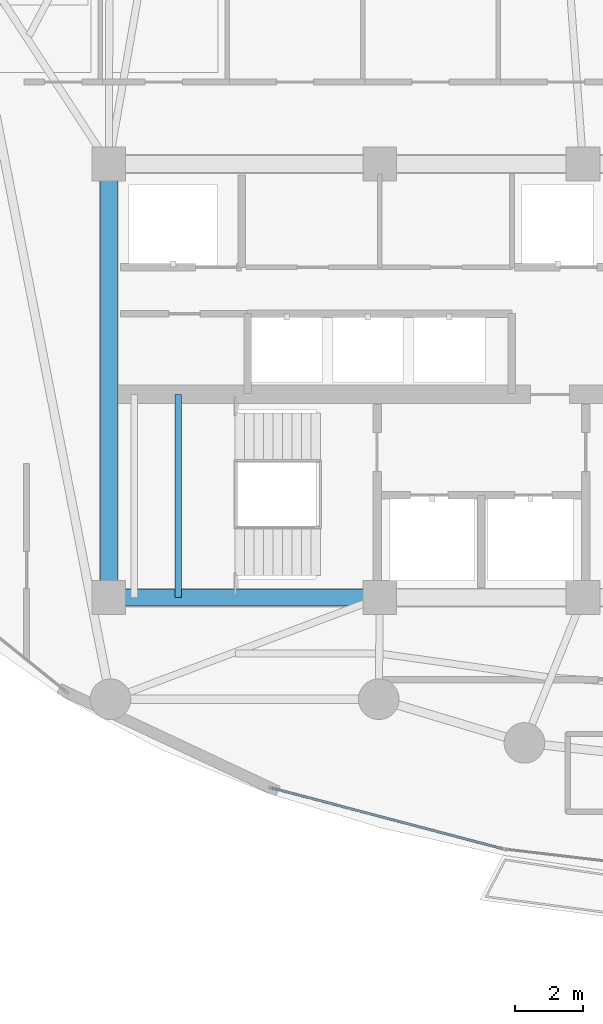
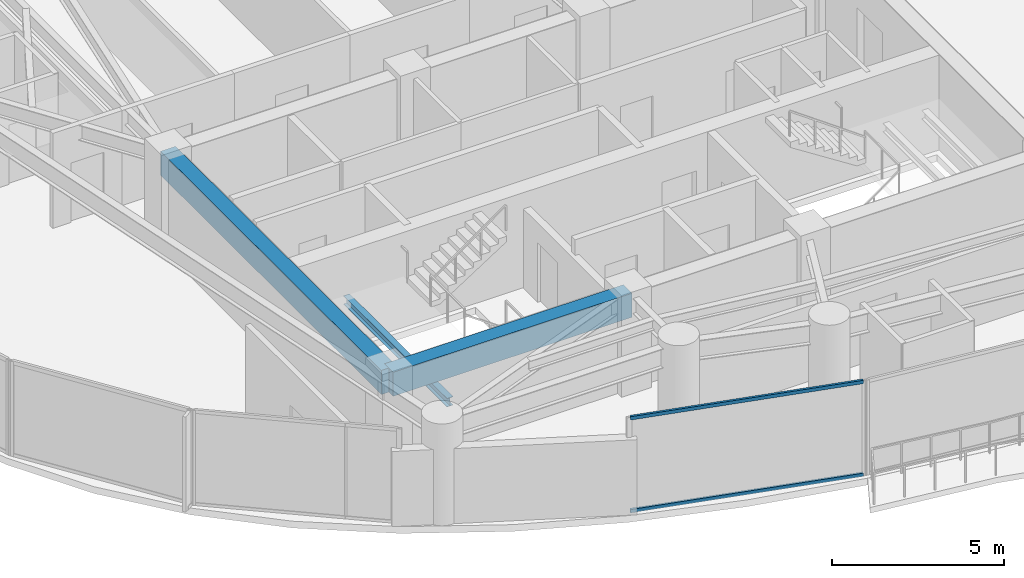
# One storey, part 4 of 34: 3 beams, 2 members, 1 element without a shape of its own.
"""IFC4 building model written with IfcOpenShell, lengths in metres."""

import ifcopenshell
import ifcopenshell.guid

model = None  # the IFC model being written
_history = None  # IfcOwnerHistory: only IFC2X3 demands one
_inside = {}  # id of a spatial element -> (the spatial element, [elements in it])
_under = {}  # id of a project, library or spatial element -> (it, [spatial elements below it])
_declared = {}  # id of a project -> (the project, [libraries it declares])
_typed = {}  # id of a type object -> (the type object, [elements of that type])
_made_of = {}  # id of a material, layer set ... -> (it, [elements and type objects made of it])


def new_model(schema):
    """Start an empty IFC model of exactly this schema.

    Asked for "IFC4X3", IfcOpenShell would pick the latest addendum, in which some entities
    have other attributes; the version numbers below select the first issue.
    IFC2X3 requires an IfcOwnerHistory on every rooted entity: one is made here for all.
    """
    global model, _history
    if schema == "IFC4X3":
        model = ifcopenshell.file(schema_version=(4, 3, 0, 0))
    else:
        model = ifcopenshell.file(schema=schema)
    _inside.clear()
    _under.clear()
    _declared.clear()
    _typed.clear()
    _made_of.clear()
    _history = None
    if model.schema == "IFC2X3":
        org = make("IfcOrganization", Name="unknown")
        user = make(
            "IfcPersonAndOrganization",
            ThePerson=make("IfcPerson", FamilyName="unknown"),
            TheOrganization=org,
        )
        app = make(
            "IfcApplication",
            ApplicationDeveloper=org,
            Version="unknown",
            ApplicationFullName="unknown",
            ApplicationIdentifier="unknown",
        )
        _history = make(
            "IfcOwnerHistory",
            OwningUser=user,
            OwningApplication=app,
            ChangeAction="ADDED",
            CreationDate=0,
        )
    return model


def make(cls, **values):
    """One entity of the class cls with the attributes given. An attribute that is None is left unset."""
    return model.create_entity(
        cls, **{name: value for name, value in values.items() if value is not None}
    )


def rooted(cls, **values):
    """An entity with a GlobalId (a new one), such as an element, a storey or a relation."""
    return make(cls, GlobalId=ifcopenshell.guid.new(), OwnerHistory=_history, **values)


def si_unit(unit_type, name, prefix=None):
    """IfcSIUnit, for example si_unit("LENGTHUNIT", "METRE", prefix="MILLI")."""
    return make("IfcSIUnit", UnitType=unit_type, Prefix=prefix, Name=name)


def assignment(units):
    """IfcUnitAssignment: the units of a project."""
    return None if units is None else make("IfcUnitAssignment", Units=units)


def point(xyz):
    """IfcCartesianPoint."""
    return None if xyz is None else make("IfcCartesianPoint", Coordinates=xyz)


def direction(xyz):
    """IfcDirection."""
    return None if xyz is None else make("IfcDirection", DirectionRatios=xyz)


def frame(location, z_axis=None, x_axis=None):
    """IfcAxis2Placement3D, a coordinate frame: its origin and axes. An axis left out is left unset."""
    return make(
        "IfcAxis2Placement3D",
        Location=point(location),
        Axis=direction(z_axis),
        RefDirection=direction(x_axis),
    )


def frame_2d(location, x_axis=None):
    """IfcAxis2Placement2D, a coordinate frame in the plane: its origin and x axis."""
    return make(
        "IfcAxis2Placement2D", Location=point(location), RefDirection=direction(x_axis)
    )


def origin():
    """The frame at (0, 0, 0) with its axes left unset."""
    return frame((0.0, 0.0, 0.0))


def origin_2d():
    """The frame at (0, 0) in the plane with its x axis left unset."""
    return frame_2d((0.0, 0.0))


def place(relative_to, where):
    """IfcLocalPlacement: puts the frame where relative to a parent placement (None: the world)."""
    return make(
        "IfcLocalPlacement", PlacementRelTo=relative_to, RelativePlacement=where
    )


def context(
    kind, dimensions, precision=None, world=None, true_north=None, identifier=None
):
    """IfcGeometricRepresentationContext, for example the 3D "Model" context."""
    return make(
        "IfcGeometricRepresentationContext",
        ContextIdentifier=identifier,
        ContextType=kind,
        CoordinateSpaceDimension=dimensions,
        Precision=precision,
        WorldCoordinateSystem=world,
        TrueNorth=true_north,
    )


def subcontext(parent, identifier, kind, view, scale=None):
    """IfcGeometricRepresentationSubContext, for example "Body" below "Model"."""
    return make(
        "IfcGeometricRepresentationSubContext",
        ContextIdentifier=identifier,
        ContextType=kind,
        ParentContext=parent,
        TargetScale=scale,
        TargetView=view,
    )


def project(units=None, contexts=None):
    """IfcProject with its units and contexts."""
    return rooted(
        "IfcProject",
        Name="project",
        RepresentationContexts=contexts,
        UnitsInContext=assignment(units),
    )


def spatial(cls, under=None, at=None, **own):
    """A site, building, storey or space (cls), placed at a placement, below another one or the project."""
    s = rooted(cls, ObjectPlacement=at, **own)
    if under is not None:
        _under.setdefault(under.id(), (under, []))[1].append(s)
    return s


def profile(cls, at=None, kind="AREA", **sizes):
    """A parametric profile (cls). Its sizes go by their IFC names, for example OverallWidth=200.0."""
    return make(cls, ProfileType=kind, Position=at, **sizes)


def rectangle(**sizes):
    """IfcRectangleProfileDef."""
    return profile("IfcRectangleProfileDef", **sizes)


def hollow_rectangle(**sizes):
    """IfcRectangleHollowProfileDef."""
    return profile("IfcRectangleHollowProfileDef", **sizes)


def i_section(**sizes):
    """IfcIShapeProfileDef."""
    return profile("IfcIShapeProfileDef", **sizes)


def extrude(swept, where, along, depth):
    """IfcExtrudedAreaSolid: the profile swept, set in the frame where, extruded along a direction by depth."""
    return make(
        "IfcExtrudedAreaSolid",
        SweptArea=swept,
        Position=where,
        ExtrudedDirection=direction(along),
        Depth=depth,
    )


def shape(context_of_items, identifier, shape_type, items):
    """IfcShapeRepresentation: the items that make up one representation, for example the "Body"."""
    return make(
        "IfcShapeRepresentation",
        ContextOfItems=context_of_items,
        RepresentationIdentifier=identifier,
        RepresentationType=shape_type,
        Items=items,
    )


def material(Name=None, Category=None):
    """IfcMaterial."""
    return make("IfcMaterial", Name=Name, Category=Category)


def layer(
    of_material, thickness, ventilated=None, Name=None, Category=None, Priority=None
):
    """IfcMaterialLayer: one layer of a wall or slab, of a material (None: an air gap)."""
    return make(
        "IfcMaterialLayer",
        Material=of_material,
        LayerThickness=thickness,
        IsVentilated=ventilated,
        Name=Name,
        Category=Category,
        Priority=Priority,
    )


def layer_set(layers, Name=None):
    """IfcMaterialLayerSet."""
    return make("IfcMaterialLayerSet", MaterialLayers=layers, LayerSetName=Name)


def material_profile(
    of_material, cross_section, Name=None, Category=None, Priority=None
):
    """IfcMaterialProfile: a cross section and its material."""
    return make(
        "IfcMaterialProfile",
        Name=Name,
        Material=of_material,
        Profile=cross_section,
        Priority=Priority,
        Category=Category,
    )


def profile_set(profiles, Name=None, composite=None):
    """IfcMaterialProfileSet."""
    return make(
        "IfcMaterialProfileSet",
        Name=Name,
        MaterialProfiles=profiles,
        CompositeProfile=composite,
    )


def made_of(thing, what):
    """Note that an element or type object is made of a material, layer set ...; save() writes the relation."""
    if what is not None:
        _made_of.setdefault(what.id(), (what, []))[1].append(thing)
    return thing


def type_object(cls, material=None, **own):
    """A type object (cls), such as IfcWallType, which elements share."""
    return made_of(rooted(cls, **own), material)


def element(
    cls,
    number,
    at=None,
    inside=None,
    cuts=None,
    type_object=None,
    material=None,
    context=None,
    identifier="Body",
    shape_type=None,
    held_by="IfcProductDefinitionShape",
    body=None,
    shapes=None,
    **own,
):
    """One element of the class cls, such as IfcWall. Its Tag is "e" and its number.

    at: its placement. inside: the storey or other place that contains it. cuts: it is an
    opening in that element (IfcRelVoidsElement). A single representation is given by context,
    identifier, shape_type and body (its items); several are given by shapes. held_by: the class
    of the entity that holds the representations. save() writes the other relations.
    """
    e = rooted(cls, Tag="e%d" % number, ObjectPlacement=at, **own)
    if body is not None:
        shapes = [shape(context, identifier, shape_type, body)]
    if shapes is not None:
        e.Representation = make(held_by, Representations=shapes)
    if inside is not None:
        _inside.setdefault(inside.id(), (inside, []))[1].append(e)
    if cuts is not None:
        rooted(
            "IfcRelVoidsElement", RelatingBuildingElement=cuts, RelatedOpeningElement=e
        )
    if type_object is not None:
        _typed.setdefault(type_object.id(), (type_object, []))[1].append(e)
    return made_of(e, material)


def aggregate(whole, parts):
    """IfcRelAggregates: a whole, such as a stair, and the parts it consists of."""
    return rooted("IfcRelAggregates", RelatingObject=whole, RelatedObjects=parts)


def save(model, path):
    """Write the relations noted so far, then the file.

    IfcRelAggregates (storeys below a building ...), IfcRelContainedInSpatialStructure (elements
    in a storey), IfcRelDefinesByType, IfcRelAssociatesMaterial and IfcRelDeclares: one each for
    every whole, place, type object, material and project.
    """
    for whole, parts in _under.values():
        aggregate(whole, parts)
    for where, things in _inside.values():
        rooted(
            "IfcRelContainedInSpatialStructure",
            RelatedElements=things,
            RelatingStructure=where,
        )
    for kind, things in _typed.values():
        rooted("IfcRelDefinesByType", RelatedObjects=things, RelatingType=kind)
    for what, things in _made_of.values():
        rooted("IfcRelAssociatesMaterial", RelatedObjects=things, RelatingMaterial=what)
    for by, libraries in _declared.values():
        rooted("IfcRelDeclares", RelatingContext=by, RelatedDefinitions=libraries)
    model.write(path)


model = new_model("IFC4")

# Units and contexts
model_context = context("Model", 3, precision=1e-05, world=origin(), true_north=direction((0.0, 1.0)))
body_context = subcontext(model_context, "Body", "Model", "MODEL_VIEW")
ifc_project = project(units=[si_unit("LENGTHUNIT", "METRE"), si_unit("AREAUNIT", "SQUARE_METRE"), si_unit("VOLUMEUNIT", "CUBIC_METRE"), si_unit("PLANEANGLEUNIT", "RADIAN"), si_unit("MASSUNIT", "GRAM", prefix="KILO")], contexts=[model_context])

# Site, building, storey
site_placement = place(None, origin())
site = spatial("IfcSite", under=ifc_project, at=site_placement, CompositionType="ELEMENT")
building_placement = place(site_placement, origin())
building = spatial("IfcBuilding", under=site, at=building_placement, Name="Kazevale Care Tower and Concert Hall", CompositionType="ELEMENT")
storey_placement = place(building_placement, frame((0.0, 0.0, 160.199951171875)))
storey = spatial("IfcBuildingStorey", under=building, at=storey_placement, Name="L42", CompositionType="ELEMENT", Elevation=160.199951171875)

# Curtain wall, members
ifc_material_1 = material(Name="Aluminium 6063-T6 and Low-E Glass", Category="aluminium")
ifc_layer = layer(ifc_material_1, 0.179931640625)
ifc_layer_set = layer_set([ifc_layer], Name="Aluminium 6063-T6 and Low-E Glass")
curtain_wall_type = type_object("IfcCurtainWallType", Name="Sheltered Concave Balcony Curtain Wall CW-5", PredefinedType="NOTDEFINED", material=ifc_layer_set)
curtain_wall_placement = place(storey_placement, origin())
curtain_wall = element("IfcCurtainWall", 1, at=curtain_wall_placement, inside=storey, type_object=curtain_wall_type, Name="cw:L42:f08", PredefinedType="NOTDEFINED")
ifc_material_2 = material(Name="Aluminium 6063-T6", Category="aluminium")
ifc_material_profile_1 = material_profile(ifc_material_2, hollow_rectangle(XDim=0.074951171875, YDim=0.1201171875, WallThickness=0.00390625, at=origin_2d()), Name="ALU75x120x4")
ifc_profile_set_1 = profile_set([ifc_material_profile_1], Name="Aluminium 6063-T6")
member_type = type_object("IfcMemberType", Name="CW-5 Transom ALU75x120x4", PredefinedType="USERDEFINED", material=ifc_profile_set_1)
member_1_placement = place(storey_placement, frame((33.598388671875, 16.193115234375, 0.03759765625), z_axis=(-0.967142752699, 0.254233939321, 0.0), x_axis=(-0.254233939321, -0.967142752699, 0.0)))
member_1 = element("IfcMember", 2, at=member_1_placement, type_object=member_type, Name="CW-5 transom 1.1", ObjectType="TRANSOM", PredefinedType="USERDEFINED", context=body_context, shape_type="SweptSolid", body=[
    extrude(hollow_rectangle(XDim=0.074951171875, YDim=0.1201171875, WallThickness=0.00390625, at=origin_2d()), origin(), (0.0, 0.0, 1.0), 6.996826171875),
])
member_2_placement = place(storey_placement, frame((33.598388671875, 16.193115234375, 3.322509765625), z_axis=(-0.967142752699, 0.254233939321, 0.0), x_axis=(-0.254233939321, -0.967142752699, 0.0)))
member_2 = element("IfcMember", 3, at=member_2_placement, type_object=member_type, Name="CW-5 transom 1.2", ObjectType="TRANSOM", PredefinedType="USERDEFINED", context=body_context, shape_type="SweptSolid", body=[
    extrude(hollow_rectangle(XDim=0.074951171875, YDim=0.1201171875, WallThickness=0.00390625, at=origin_2d()), origin(), (0.0, 0.0, 1.0), 6.996826171875),
])
aggregate(curtain_wall, [member_1, member_2])

# Beams
ifc_material_3 = material(Name="Concrete C60", Category="concrete")
ifc_material_profile_2 = material_profile(ifc_material_3, rectangle(XDim=0.5, YDim=0.85009765625, at=origin_2d()), Name="RC-B500x850")
ifc_profile_set_2 = profile_set([ifc_material_profile_2], Name="Concrete C60")
beam_type_1 = type_object("IfcBeamType", Name="Core Coupling Beam RC500x850", PredefinedType="LINTEL", material=ifc_profile_set_2)
beam_1_placement = place(storey_placement, frame((22.0, 23.60009765625, 2.93505859375), z_axis=(1.0, 0.0, 0.0), x_axis=(0.0, 1.0, 0.0)))
element("IfcBeam", 4, at=beam_1_placement, inside=storey, type_object=beam_type_1, Name="beam:L42:coretie:1", PredefinedType="LINTEL", context=body_context, shape_type="SweptSolid", body=[
    extrude(rectangle(XDim=0.5, YDim=0.85009765625, at=origin_2d()), origin(), (0.0, 0.0, 1.0), 8.0),
])
beam_2_placement = place(storey_placement, frame((22.0, 36.39990234375, 2.93505859375), z_axis=(0.0, -1.0, 0.0), x_axis=(1.0, 0.0, 0.0)))
element("IfcBeam", 5, at=beam_2_placement, inside=storey, type_object=beam_type_1, Name="beam:L42:coretie:8", PredefinedType="LINTEL", context=body_context, shape_type="SweptSolid", body=[
    extrude(rectangle(XDim=0.5, YDim=0.85009765625, at=origin_2d()), origin(), (0.0, 0.0, 1.0), 12.7998046875),
])
ifc_material_4 = material(Name="Steel ASTM A572 Gr 50", Category="steel")
ifc_material_profile_3 = material_profile(ifc_material_4, i_section(OverallWidth=0.202880859375, OverallDepth=0.302978515625, WebThickness=0.007568359375, FlangeThickness=0.01318359375, at=origin_2d()), Name="W310x60")
ifc_profile_set_3 = profile_set([ifc_material_profile_3], Name="Steel ASTM A572 Gr 50")
beam_type_2 = type_object("IfcBeamType", Name="Stair & Balcony Trimmer W310x60", PredefinedType="BEAM", material=ifc_profile_set_3)
beam_3_placement = place(storey_placement, frame((24.050048828125, 23.60009765625, 1.448486328125), z_axis=(0.0, 1.0, 0.0), x_axis=(-1.0, 0.0, 0.0)))
element("IfcBeam", 6, at=beam_3_placement, inside=storey, type_object=beam_type_2, Name="beam:L42:sttrim:ST1b", PredefinedType="BEAM", context=body_context, shape_type="SweptSolid", body=[
    extrude(i_section(OverallWidth=0.202880859375, OverallDepth=0.302978515625, WebThickness=0.007568359375, FlangeThickness=0.01318359375, at=origin_2d()), origin(), (0.0, 0.0, 1.0), 6.0),
])

save(model, "model.ifc")
